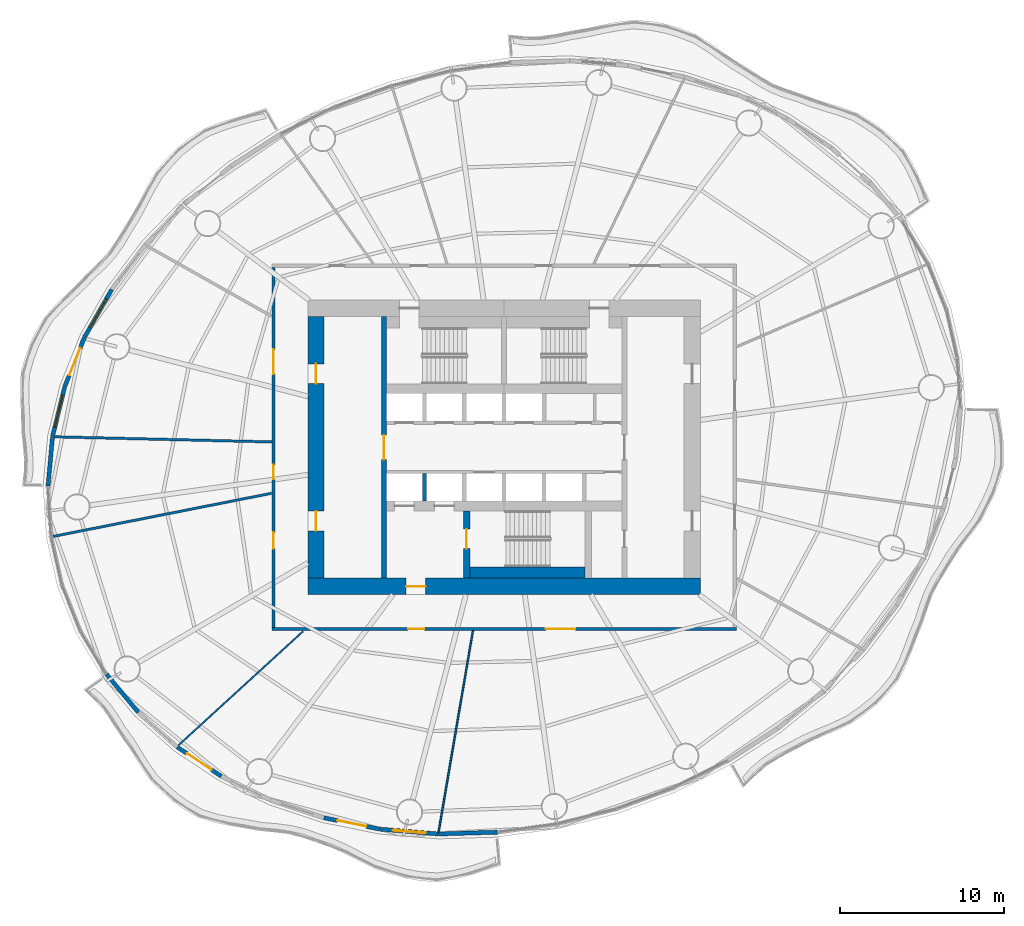
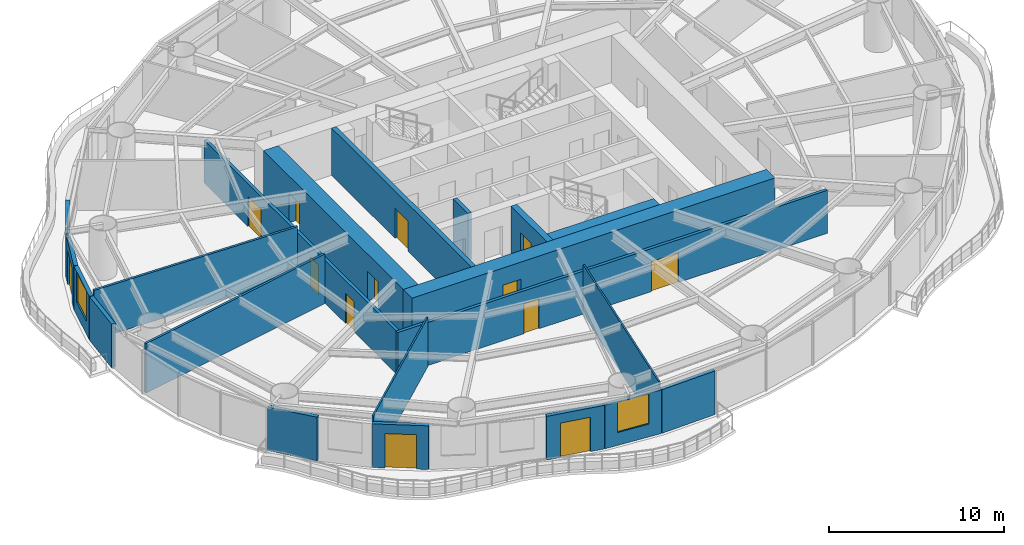
# One storey, part 8 of 16: 21 walls, 13 doors, 3 windows, 16 openings.
"""IFC4 building model written with IfcOpenShell, lengths in metres."""

from ifc_helpers import new_model, si_unit, direction, frame, frame_2d, origin, place, context, subcontext, project, spatial, rectangle, extrude, material, layer, layer_set, type_object, element, fill, save


model = new_model("IFC4")

# Units and contexts
model_context = context("Model", 3, precision=1e-05, world=origin(), true_north=direction((0.0, 1.0)))
body_context = subcontext(model_context, "Body", "Model", "MODEL_VIEW")
ifc_project = project(units=[si_unit("LENGTHUNIT", "METRE"), si_unit("AREAUNIT", "SQUARE_METRE"), si_unit("VOLUMEUNIT", "CUBIC_METRE"), si_unit("PLANEANGLEUNIT", "RADIAN"), si_unit("MASSUNIT", "GRAM", prefix="KILO")], contexts=[model_context])

# Site, building, storey
site_placement = place(None, origin())
site = spatial("IfcSite", under=ifc_project, at=site_placement, CompositionType="ELEMENT")
building_placement = place(site_placement, origin())
building = spatial("IfcBuilding", under=site, at=building_placement, Name="Vermilion Reach Broadcast Tower", CompositionType="ELEMENT")
storey_placement = place(building_placement, frame((0.0, 0.0, 103.0)))
storey = spatial("IfcBuildingStorey", under=building, at=storey_placement, Name="L23", CompositionType="ELEMENT", Elevation=103.0)

# Wall, opening, door
ifc_material_1 = material(Name="Concrete C70", Category="concrete")
ifc_layer_1 = layer(ifc_material_1, 0.300048828125)
ifc_layer_set_1 = layer_set([ifc_layer_1], Name="Core inner wall 300 mm Concrete C70")
wall_type_1 = type_object("IfcWallType", Name="Core inner wall 300 mm Concrete C70", PredefinedType="SHEAR", material=ifc_layer_set_1)
wall_1_placement = place(storey_placement, frame((-13.35009765625, 8.0, 0.0), z_axis=(0.0, 0.0, 1.0), x_axis=(0.0, -1.0, 0.0)))
wall_1 = element("IfcWall", 1, at=wall_1_placement, inside=storey, type_object=wall_type_1, Name="L23 core wall ewW", PredefinedType="SHEAR", context=body_context, shape_type="SweptSolid", body=[
    extrude(rectangle(XDim=16.0, YDim=0.300048828125, at=frame_2d((8.0, 0.0))), origin(), (0.0, 0.0, 1.0), 3.300048828125),
])
opening_1_placement = place(wall_1_placement, frame((7.25, 0.0, 0.0)))
opening_1 = element("IfcOpeningElement", 2, at=opening_1_placement, cuts=wall_1, Name="Opening D04", PredefinedType="OPENING", context=body_context, shape_type="SweptSolid", body=[
    extrude(rectangle(XDim=1.5, YDim=2.10009765625, at=frame_2d((0.75, 1.050048828125))), frame((0.0, 0.159912109375, 0.0), z_axis=(0.0, -1.0, 0.0), x_axis=(1.0, 0.0, 0.0)), (0.0, 0.0, 1.0), 0.320068359375),
])
ifc_material_2 = material(Name="Painted steel fire door", Category="steel")
door_type_1 = type_object("IfcDoorType", Name="Lift lobby door 1500 x 2100", OperationType="DOUBLE_DOOR_SINGLE_SWING", PredefinedType="NOTDEFINED", material=ifc_material_2)
door_1_placement = place(opening_1_placement, origin())
door_1 = element("IfcDoor", 3, at=door_1_placement, inside=storey, type_object=door_type_1, Name="L23 band door BW", OperationType="DOUBLE_DOOR_SINGLE_SWING", OverallHeight=2.10009765625, OverallWidth=1.5, PredefinedType="NOTDEFINED", context=body_context, shape_type="SweptSolid", body=[
    extrude(rectangle(XDim=1.5, YDim=2.10009765625, at=frame_2d((0.75, 1.050048828125))), frame((0.0, 0.02490234375, 0.0), z_axis=(0.0, -1.0, 0.0), x_axis=(1.0, 0.0, 0.0)), (0.0, 0.0, 1.0), 0.050048828125),
])
fill(opening_1, door_1)

ifc_material_3 = material(Name="Concrete C70", Category="concrete")
ifc_layer_2 = layer(ifc_material_3, 0.39990234375)
ifc_layer_set_2 = layer_set([ifc_layer_2], Name="Core inner wall 400 mm Concrete C70")
wall_type_2 = type_object("IfcWallType", Name="Core inner wall 400 mm Concrete C70", PredefinedType="SHEAR", material=ifc_layer_set_2)
wall_2_placement = place(storey_placement, frame((-8.300048828125, -3.8798828125, 0.0), z_axis=(0.0, 0.0, 1.0), x_axis=(0.0, -1.0, 0.0)))
wall_2 = element("IfcWall", 4, at=wall_2_placement, inside=storey, type_object=wall_type_2, Name="L23 core wall wa", PredefinedType="SHEAR", context=body_context, shape_type="SweptSolid", body=[
    extrude(rectangle(XDim=4.1201171875, YDim=0.39990234375, at=frame_2d((2.06005859375, 0.0))), origin(), (0.0, 0.0, 1.0), 3.300048828125),
])
opening_2_placement = place(wall_2_placement, frame((1.110107421875, 0.0, 0.0)))
opening_2 = element("IfcOpeningElement", 5, at=opening_2_placement, cuts=wall_2, Name="Opening D01", PredefinedType="OPENING", context=body_context, shape_type="SweptSolid", body=[
    extrude(rectangle(XDim=1.199951171875, YDim=2.10009765625, at=frame_2d((0.60009765625, 1.050048828125))), frame((0.0, 0.2099609375, 0.0), z_axis=(0.0, -1.0, 0.0), x_axis=(1.0, 0.0, 0.0)), (0.0, 0.0, 1.0), 0.419921875),
])
ifc_material_4 = material(Name="Painted steel fire door", Category="steel")
door_type_2 = type_object("IfcDoorType", Name="Stair door 1200 x 2100", OperationType="DOUBLE_DOOR_SINGLE_SWING", PredefinedType="NOTDEFINED", material=ifc_material_4)
door_2_placement = place(opening_2_placement, origin())
door_2 = element("IfcDoor", 6, at=door_2_placement, inside=storey, type_object=door_type_2, Name="L23 stair door ST3", OperationType="DOUBLE_DOOR_SINGLE_SWING", OverallHeight=2.10009765625, OverallWidth=1.199951171875, PredefinedType="NOTDEFINED", context=body_context, shape_type="SweptSolid", body=[
    extrude(rectangle(XDim=1.199951171875, YDim=2.10009765625, at=frame_2d((0.60009765625, 1.050048828125))), frame((0.0, 0.02490234375, 0.0), z_axis=(0.0, -1.0, 0.0), x_axis=(1.0, 0.0, 0.0)), (0.0, 0.0, 1.0), 0.050048828125),
])
fill(opening_2, door_2)

ifc_material_5 = material(Name="Concrete C70", Category="concrete")
ifc_layer_3 = layer(ifc_material_5, 1.0)
ifc_layer_set_3 = layer_set([ifc_layer_3], Name="Core outer wall 1000 mm Concrete C70")
wall_type_3 = type_object("IfcWallType", Name="Core outer wall 1000 mm Concrete C70", PredefinedType="SHEAR", material=ifc_layer_set_3)
wall_3_placement = place(storey_placement, frame((-18.0, -8.5, 0.0), z_axis=(0.0, 0.0, 1.0), x_axis=(1.0, 0.0, 0.0)))
wall_3 = element("IfcWall", 7, at=wall_3_placement, inside=storey, type_object=wall_type_3, Name="L23 core wall os", PredefinedType="SHEAR", context=body_context, shape_type="SweptSolid", body=[
    extrude(rectangle(XDim=24.0, YDim=1.0, at=frame_2d((12.0, 0.0))), origin(), (0.0, 0.0, 1.0), 3.300048828125),
])
opening_3_placement = place(wall_3_placement, frame((6.0, 0.0, 0.0)))
opening_3 = element("IfcOpeningElement", 8, at=opening_3_placement, cuts=wall_3, Name="Opening D02", PredefinedType="OPENING", context=body_context, shape_type="SweptSolid", body=[
    extrude(rectangle(XDim=1.199951171875, YDim=2.10009765625, at=frame_2d((0.60009765625, 1.050048828125))), frame((0.0, 0.510009765625, 0.0), z_axis=(0.0, -1.0, 0.0), x_axis=(1.0, 0.0, 0.0)), (0.0, 0.0, 1.0), 1.02001953125),
])
ifc_material_6 = material(Name="Painted steel fire door", Category="steel")
door_type_3 = type_object("IfcDoorType", Name="Firefighting lobby door 1200 x 2100", OperationType="DOUBLE_DOOR_SINGLE_SWING", PredefinedType="NOTDEFINED", material=ifc_material_6)
door_3_placement = place(opening_3_placement, origin())
door_3 = element("IfcDoor", 9, at=door_3_placement, inside=storey, type_object=door_type_3, Name="L23 ffdoor door FFL", OperationType="DOUBLE_DOOR_SINGLE_SWING", OverallHeight=2.10009765625, OverallWidth=1.199951171875, PredefinedType="NOTDEFINED", context=body_context, shape_type="SweptSolid", body=[
    extrude(rectangle(XDim=1.199951171875, YDim=2.10009765625, at=frame_2d((0.60009765625, 1.050048828125))), frame((0.0, 0.02490234375, 0.0), z_axis=(0.0, -1.0, 0.0), x_axis=(1.0, 0.0, 0.0)), (0.0, 0.0, 1.0), 0.050048828125),
])
fill(opening_3, door_3)

# Wall, openings, doors
wall_4_placement = place(storey_placement, frame((-17.5, 8.0, 0.0), z_axis=(0.0, 0.0, 1.0), x_axis=(0.0, -1.0, 0.0)))
wall_4 = element("IfcWall", 10, at=wall_4_placement, inside=storey, type_object=wall_type_3, Name="L23 core wall ow", PredefinedType="SHEAR", context=body_context, shape_type="SweptSolid", body=[
    extrude(rectangle(XDim=16.0, YDim=1.0, at=frame_2d((8.0, 0.0))), origin(), (0.0, 0.0, 1.0), 3.300048828125),
])
opening_4_placement = place(wall_4_placement, frame((11.89990234375, 0.0, 0.0)))
opening_4 = element("IfcOpeningElement", 11, at=opening_4_placement, cuts=wall_4, Name="Opening D03", PredefinedType="OPENING", context=body_context, shape_type="SweptSolid", body=[
    extrude(rectangle(XDim=1.199951171875, YDim=2.10009765625, at=frame_2d((0.60009765625, 1.050048828125))), frame((0.0, 0.510009765625, 0.0), z_axis=(0.0, -1.0, 0.0), x_axis=(1.0, 0.0, 0.0)), (0.0, 0.0, 1.0), 1.02001953125),
])
opening_5_placement = place(wall_4_placement, frame((2.89990234375, 0.0, 0.0)))
opening_5 = element("IfcOpeningElement", 12, at=opening_5_placement, cuts=wall_4, Name="Opening D03", PredefinedType="OPENING", context=body_context, shape_type="SweptSolid", body=[
    extrude(rectangle(XDim=1.199951171875, YDim=2.10009765625, at=frame_2d((0.60009765625, 1.050048828125))), frame((0.0, 0.510009765625, 0.0), z_axis=(0.0, -1.0, 0.0), x_axis=(1.0, 0.0, 0.0)), (0.0, 0.0, 1.0), 1.02001953125),
])
ifc_material_7 = material(Name="Painted steel fire door", Category="steel")
door_type_4 = type_object("IfcDoorType", Name="Core lobby door 1200 x 2100", OperationType="DOUBLE_DOOR_SINGLE_SWING", PredefinedType="NOTDEFINED", material=ifc_material_7)
door_4_placement = place(opening_4_placement, origin())
door_4 = element("IfcDoor", 13, at=door_4_placement, inside=storey, type_object=door_type_4, Name="L23 slot door W0", OperationType="DOUBLE_DOOR_SINGLE_SWING", OverallHeight=2.10009765625, OverallWidth=1.199951171875, PredefinedType="NOTDEFINED", context=body_context, shape_type="SweptSolid", body=[
    extrude(rectangle(XDim=1.199951171875, YDim=2.10009765625, at=frame_2d((0.60009765625, 1.050048828125))), frame((0.0, 0.02490234375, 0.0), z_axis=(0.0, -1.0, 0.0), x_axis=(1.0, 0.0, 0.0)), (0.0, 0.0, 1.0), 0.050048828125),
])
fill(opening_4, door_4)
door_5_placement = place(opening_5_placement, origin())
door_5 = element("IfcDoor", 14, at=door_5_placement, inside=storey, type_object=door_type_4, Name="L23 slot door W1", OperationType="DOUBLE_DOOR_SINGLE_SWING", OverallHeight=2.10009765625, OverallWidth=1.199951171875, PredefinedType="NOTDEFINED", context=body_context, shape_type="SweptSolid", body=[
    extrude(rectangle(XDim=1.199951171875, YDim=2.10009765625, at=frame_2d((0.60009765625, 1.050048828125))), frame((0.0, 0.02490234375, 0.0), z_axis=(0.0, -1.0, 0.0), x_axis=(1.0, 0.0, 0.0)), (0.0, 0.0, 1.0), 0.050048828125),
])
fill(opening_5, door_5)

# Walls
ifc_material_8 = material(Name="Concrete C50", Category="concrete")
ifc_layer_4 = layer(ifc_material_8, 0.25)
ifc_layer_set_4 = layer_set([ifc_layer_4], Name="Core shaft wall 250 mm Concrete C50")
wall_type_4 = type_object("IfcWallType", Name="Core shaft wall 250 mm Concrete C50", PredefinedType="SHEAR", material=ifc_layer_set_4)
wall_5_placement = place(storey_placement, frame((-10.88330078125, -1.60009765625, 0.0), z_axis=(0.0, 0.0, 1.0), x_axis=(0.0, -1.0, 0.0)))
element("IfcWall", 15, at=wall_5_placement, inside=storey, type_object=wall_type_4, Name="L23 core wall psS0", PredefinedType="SHEAR", context=body_context, shape_type="SweptSolid", body=[
    extrude(rectangle(XDim=1.679931640625, YDim=0.25, at=frame_2d((0.83984375, 0.0))), origin(), (0.0, 0.0, 1.0), 3.300048828125),
])
ifc_material_9 = material(Name="Concrete C70", Category="concrete")
ifc_layer_5 = layer(ifc_material_9, 0.699951171875)
ifc_layer_set_5 = layer_set([ifc_layer_5], Name="Core stair wall 700 mm Concrete C70")
wall_type_5 = type_object("IfcWallType", Name="Core stair wall 700 mm Concrete C70", PredefinedType="SHEAR", material=ifc_layer_set_5)
wall_6_placement = place(storey_placement, frame((-8.10009765625, -7.64990234375, 0.0), z_axis=(0.0, 0.0, 1.0), x_axis=(1.0, 0.0, 0.0)))
element("IfcWall", 16, at=wall_6_placement, inside=storey, type_object=wall_type_5, Name="L23 core wall l3", PredefinedType="SHEAR", context=body_context, shape_type="SweptSolid", body=[
    extrude(rectangle(XDim=7.050048828125, YDim=0.699951171875, at=frame_2d((3.52490234375, 0.0))), origin(), (0.0, 0.0, 1.0), 3.300048828125),
])
ifc_material_10 = material(Name="Plasterboard on steel stud", Category="steel")
ifc_layer_6 = layer(ifc_material_10, 0.10009765625)
ifc_layer_set_6 = layer_set([ifc_layer_6], Name="Partition 100 steel stud")
wall_type_6 = type_object("IfcWallType", Name="Partition 100 steel stud", PredefinedType="PARTITIONING", material=ifc_layer_set_6)
wall_7_placement = place(storey_placement, frame((-25.91650390625, -18.21484375, 0.0), z_axis=(0.0, 0.0, 1.0), x_axis=(0.737925997796, 0.674881635383, 0.0)))
element("IfcWall", 17, at=wall_7_placement, inside=storey, type_object=wall_type_6, Name="Partition 23.08", PredefinedType="PARTITIONING", context=body_context, shape_type="SweptSolid", body=[
    extrude(rectangle(XDim=10.339599609375, YDim=0.10009765625, at=frame_2d((5.169921875, 0.0))), origin(), (0.0, 0.0, 1.0), 3.449951171875),
])
wall_8_placement = place(storey_placement, frame((-10.009521484375, -23.508056640625, 0.0), z_axis=(0.0, 0.0, 1.0), x_axis=(0.168138794108, 0.985763331594, 0.0)))
element("IfcWall", 18, at=wall_8_placement, inside=storey, type_object=wall_type_6, Name="Partition 23.09", PredefinedType="PARTITIONING", context=body_context, shape_type="SweptSolid", body=[
    extrude(rectangle(XDim=12.477294921875, YDim=0.10009765625, at=frame_2d((6.23876953125, 0.0))), origin(), (0.0, 0.0, 1.0), 3.449951171875),
])
ifc_material_11 = material(Name="Lightweight concrete block, plastered", Category="concrete")
ifc_layer_7 = layer(ifc_material_11, 0.14990234375)
ifc_layer_set_7 = layer_set([ifc_layer_7], Name="Partition 150 lightweight block")
wall_type_7 = type_object("IfcWallType", Name="Partition 150 lightweight block", PredefinedType="PARTITIONING", material=ifc_layer_set_7)
wall_9_placement = place(storey_placement, frame((-33.4833984375, 0.644775390625, 0.0), z_axis=(0.0, 0.0, 1.0), x_axis=(0.99972504446, -0.023448570948, 0.0)))
element("IfcWall", 19, at=wall_9_placement, inside=storey, type_object=wall_type_7, Name="Partition 23.06", PredefinedType="PARTITIONING", context=body_context, shape_type="SweptSolid", body=[
    extrude(rectangle(XDim=13.285400390625, YDim=0.14990234375, at=frame_2d((6.642578125, 0.0))), origin(), (0.0, 0.0, 1.0), 3.449951171875),
])
wall_10_placement = place(storey_placement, frame((-33.571533203125, -5.443115234375, 0.0), z_axis=(0.0, 0.0, 1.0), x_axis=(0.981063896999, 0.193684356635, 0.0)))
element("IfcWall", 20, at=wall_10_placement, inside=storey, type_object=wall_type_7, Name="Partition 23.07", PredefinedType="PARTITIONING", context=body_context, shape_type="SweptSolid", body=[
    extrude(rectangle(XDim=13.61474609375, YDim=0.14990234375, at=frame_2d((6.807373046875, 0.0))), origin(), (0.0, 0.0, 1.0), 3.449951171875),
])

# Wall, opening, window
ifc_material_12 = material(Name="Terracotta rainscreen cladding", Category="masonry")
ifc_layer_8 = layer(ifc_material_12, 0.25)
ifc_layer_set_8 = layer_set([ifc_layer_8], Name="Terracotta rainscreen wall 250")
wall_type_8 = type_object("IfcWallType", Name="Terracotta rainscreen wall 250", PredefinedType="SOLIDWALL", material=ifc_layer_set_8)
wall_11_placement = place(storey_placement, frame((-29.99560546875, 9.64404296875, 0.0), z_axis=(0.0, 0.0, 1.0), x_axis=(-0.494876492028, -0.868963323529, 0.0)))
wall_11 = element("IfcWall", 21, at=wall_11_placement, inside=storey, type_object=wall_type_8, Name="External wall L23 18", PredefinedType="SOLIDWALL", context=body_context, shape_type="SweptSolid", body=[
    extrude(rectangle(XDim=3.312744140625, YDim=0.25, at=frame_2d((1.65625, 0.0))), origin(), (0.0, 0.0, 1.0), 3.050048828125),
])
opening_6_placement = place(wall_11_placement, frame((0.656494140625, 0.0, 0.89990234375)))
opening_6 = element("IfcOpeningElement", 22, at=opening_6_placement, cuts=wall_11, Name="Opening W03", PredefinedType="OPENING", context=body_context, shape_type="SweptSolid", body=[
    extrude(rectangle(XDim=2.0, YDim=2.10009765625, at=frame_2d((1.0, 1.050048828125))), frame((0.0, 0.135009765625, 0.0), z_axis=(0.0, -1.0, 0.0), x_axis=(1.0, 0.0, 0.0)), (0.0, 0.0, 1.0), 0.27001953125),
])
ifc_material_13 = material(Name="Low-e laminated clear glass in aluminium frame", Category="aluminium")
window_type = type_object("IfcWindowType", Name="Punched window 2000 x 2100 sill 900", PartitioningType="SINGLE_PANEL", PredefinedType="WINDOW", material=ifc_material_13)
window_1_placement = place(opening_6_placement, origin())
window_1 = element("IfcWindow", 23, at=window_1_placement, inside=storey, type_object=window_type, Name="Window L23 18", OverallHeight=2.10009765625, OverallWidth=2.0, PartitioningType="SINGLE_PANEL", PredefinedType="WINDOW", context=body_context, shape_type="SweptSolid", body=[
    extrude(rectangle(XDim=2.0, YDim=2.10009765625, at=frame_2d((1.0, 1.050048828125))), frame((0.0, 0.030029296875, 0.0), z_axis=(0.0, -1.0, 0.0), x_axis=(1.0, 0.0, 0.0)), (0.0, 0.0, 1.0), 0.06005859375),
])
fill(opening_6, window_1)

# Wall, opening, door
wall_12_placement = place(storey_placement, frame((-31.64599609375, 6.742919921875, 0.0), z_axis=(0.0, 0.0, 1.0), x_axis=(-0.373166307387, -0.927764467433, 0.0)))
wall_12 = element("IfcWall", 24, at=wall_12_placement, inside=storey, type_object=wall_type_8, Name="External wall L23 19", PredefinedType="SOLIDWALL", context=body_context, shape_type="SweptSolid", body=[
    extrude(rectangle(XDim=3.222900390625, YDim=0.25, at=frame_2d((1.611328125, 0.0))), origin(), (0.0, 0.0, 1.0), 3.050048828125),
])
opening_7_placement = place(wall_12_placement, frame((0.7109375, 0.0, 0.0)))
opening_7 = element("IfcOpeningElement", 25, at=opening_7_placement, cuts=wall_12, Name="Opening D70", PredefinedType="OPENING", context=body_context, shape_type="SweptSolid", body=[
    extrude(rectangle(XDim=1.800048828125, YDim=2.39990234375, at=frame_2d((0.89990234375, 1.199951171875))), frame((0.0, 0.135009765625, 0.0), z_axis=(0.0, -1.0, 0.0), x_axis=(1.0, 0.0, 0.0)), (0.0, 0.0, 1.0), 0.27001953125),
])
ifc_material_14 = material(Name="Low-e laminated clear glass in aluminium frame", Category="aluminium")
door_type_5 = type_object("IfcDoorType", Name="Balcony sliding door 1800 x 2400", OperationType="DOUBLE_DOOR_SLIDING", PredefinedType="DOOR", material=ifc_material_14)
door_6_placement = place(opening_7_placement, origin())
door_6 = element("IfcDoor", 26, at=door_6_placement, inside=storey, type_object=door_type_5, Name="Balcony door L23 run 05", OperationType="DOUBLE_DOOR_SLIDING", OverallHeight=2.39990234375, OverallWidth=1.800048828125, PredefinedType="DOOR", context=body_context, shape_type="SweptSolid", body=[
    extrude(rectangle(XDim=1.800048828125, YDim=2.39990234375, at=frame_2d((0.89990234375, 1.199951171875))), frame((0.0, 0.02490234375, 0.0), z_axis=(0.0, -1.0, 0.0), x_axis=(1.0, 0.0, 0.0)), (0.0, 0.0, 1.0), 0.050048828125),
])
fill(opening_7, door_6)

# Wall, opening, window
wall_13_placement = place(storey_placement, frame((-32.856689453125, 3.728271484375, 0.0), z_axis=(0.0, 0.0, 1.0), x_axis=(-0.237849267936, -0.971302077493, 0.0)))
wall_13 = element("IfcWall", 27, at=wall_13_placement, inside=storey, type_object=wall_type_8, Name="External wall L23 20", PredefinedType="SOLIDWALL", context=body_context, shape_type="SweptSolid", body=[
    extrude(rectangle(XDim=3.139892578125, YDim=0.25, at=frame_2d((1.56982421875, 0.0))), origin(), (0.0, 0.0, 1.0), 3.050048828125),
])
opening_8_placement = place(wall_13_placement, frame((0.570068359375, 0.0, 0.89990234375)))
opening_8 = element("IfcOpeningElement", 28, at=opening_8_placement, cuts=wall_13, Name="Opening W03", PredefinedType="OPENING", context=body_context, shape_type="SweptSolid", body=[
    extrude(rectangle(XDim=2.0, YDim=2.10009765625, at=frame_2d((1.0, 1.050048828125))), frame((0.0, 0.135009765625, 0.0), z_axis=(0.0, -1.0, 0.0), x_axis=(1.0, 0.0, 0.0)), (0.0, 0.0, 1.0), 0.27001953125),
])
window_2_placement = place(opening_8_placement, origin())
window_2 = element("IfcWindow", 29, at=window_2_placement, inside=storey, type_object=window_type, Name="Window L23 20", OverallHeight=2.10009765625, OverallWidth=2.0, PartitioningType="SINGLE_PANEL", PredefinedType="WINDOW", context=body_context, shape_type="SweptSolid", body=[
    extrude(rectangle(XDim=2.0, YDim=2.10009765625, at=frame_2d((1.0, 1.050048828125))), frame((0.0, 0.030029296875, 0.0), z_axis=(0.0, -1.0, 0.0), x_axis=(1.0, 0.0, 0.0)), (0.0, 0.0, 1.0), 0.06005859375),
])
fill(opening_8, window_2)

# Walls
for number, where, z_axis, x_axis, name in (
    (30, (-33.60791015625, 0.65234375, 0.0), (0.0, 0.0, 1.0), (-0.09099355154, -0.995851481687, 0.0), "External wall L23 21"),
    (31, (-30.30419921875, -13.870361328125, 0.0), (0.0, 0.0, 1.0), (0.639859311978, -0.768492069494, 0.0), "External wall L23 26"),
):
    element("IfcWall", number, at=place(storey_placement, frame(where, z_axis=z_axis, x_axis=x_axis)), inside=storey, type_object=wall_type_8, Name=name, PredefinedType="SOLIDWALL", context=body_context, shape_type="SweptSolid", body=[
        extrude(rectangle(XDim=3.029052734375, YDim=0.25, at=frame_2d((1.5146484375, 0.0))), origin(), (0.0, 0.0, 1.0), 3.050048828125),
    ])

# Wall, opening, door
wall_14_placement = place(storey_placement, frame((-25.98193359375, -18.321044921875, 0.0), z_axis=(0.0, 0.0, 1.0), x_axis=(0.833643452757, -0.552302990827, 0.0)))
wall_14 = element("IfcWall", 32, at=wall_14_placement, inside=storey, type_object=wall_type_8, Name="External wall L23 28", PredefinedType="SOLIDWALL", context=body_context, shape_type="SweptSolid", body=[
    extrude(rectangle(XDim=3.222900390625, YDim=0.25, at=frame_2d((1.611328125, 0.0))), origin(), (0.0, 0.0, 1.0), 3.050048828125),
])
opening_9_placement = place(wall_14_placement, frame((0.7109375, 0.0, 0.0)))
opening_9 = element("IfcOpeningElement", 33, at=opening_9_placement, cuts=wall_14, Name="Opening D70", PredefinedType="OPENING", context=body_context, shape_type="SweptSolid", body=[
    extrude(rectangle(XDim=1.800048828125, YDim=2.39990234375, at=frame_2d((0.89990234375, 1.199951171875))), frame((0.0, 0.135009765625, 0.0), z_axis=(0.0, -1.0, 0.0), x_axis=(1.0, 0.0, 0.0)), (0.0, 0.0, 1.0), 0.27001953125),
])
door_7_placement = place(opening_9_placement, origin())
door_7 = element("IfcDoor", 34, at=door_7_placement, inside=storey, type_object=door_type_5, Name="Balcony door L23 run 07", OperationType="DOUBLE_DOOR_SLIDING", OverallHeight=2.39990234375, OverallWidth=1.800048828125, PredefinedType="DOOR", context=body_context, shape_type="SweptSolid", body=[
    extrude(rectangle(XDim=1.800048828125, YDim=2.39990234375, at=frame_2d((0.89990234375, 1.199951171875))), frame((0.0, 0.02490234375, 0.0), z_axis=(0.0, -1.0, 0.0), x_axis=(1.0, 0.0, 0.0)), (0.0, 0.0, 1.0), 0.050048828125),
])
fill(opening_9, door_7)

wall_15_placement = place(storey_placement, frame((-17.0166015625, -22.64453125, 0.0), z_axis=(0.0, 0.0, 1.0), x_axis=(0.980191158743, -0.198053761191, 0.0)))
wall_15 = element("IfcWall", 35, at=wall_15_placement, inside=storey, type_object=wall_type_8, Name="External wall L23 31", PredefinedType="SOLIDWALL", context=body_context, shape_type="SweptSolid", body=[
    extrude(rectangle(XDim=3.488525390625, YDim=0.25, at=frame_2d((1.744140625, 0.0))), origin(), (0.0, 0.0, 1.0), 3.050048828125),
])
opening_10_placement = place(wall_15_placement, frame((0.843994140625, 0.0, 0.0)))
opening_10 = element("IfcOpeningElement", 36, at=opening_10_placement, cuts=wall_15, Name="Opening D70", PredefinedType="OPENING", context=body_context, shape_type="SweptSolid", body=[
    extrude(rectangle(XDim=1.800048828125, YDim=2.39990234375, at=frame_2d((0.89990234375, 1.199951171875))), frame((0.0, 0.135009765625, 0.0), z_axis=(0.0, -1.0, 0.0), x_axis=(1.0, 0.0, 0.0)), (0.0, 0.0, 1.0), 0.27001953125),
])
door_8_placement = place(opening_10_placement, origin())
door_8 = element("IfcDoor", 37, at=door_8_placement, inside=storey, type_object=door_type_5, Name="Balcony door L23 run 08", OperationType="DOUBLE_DOOR_SLIDING", OverallHeight=2.39990234375, OverallWidth=1.800048828125, PredefinedType="DOOR", context=body_context, shape_type="SweptSolid", body=[
    extrude(rectangle(XDim=1.800048828125, YDim=2.39990234375, at=frame_2d((0.89990234375, 1.199951171875))), frame((0.0, 0.02490234375, 0.0), z_axis=(0.0, -1.0, 0.0), x_axis=(1.0, 0.0, 0.0)), (0.0, 0.0, 1.0), 0.050048828125),
])
fill(opening_10, door_8)

# Wall, opening, window
wall_16_placement = place(storey_placement, frame((-13.57470703125, -23.338623046875, 0.0), z_axis=(0.0, 0.0, 1.0), x_axis=(0.996602699612, -0.082359329318, 0.0)))
wall_16 = element("IfcWall", 38, at=wall_16_placement, inside=storey, type_object=wall_type_8, Name="External wall L23 32", PredefinedType="SOLIDWALL", context=body_context, shape_type="SweptSolid", body=[
    extrude(rectangle(XDim=3.563232421875, YDim=0.25, at=frame_2d((1.78173828125, 0.0))), origin(), (0.0, 0.0, 1.0), 3.050048828125),
])
opening_11_placement = place(wall_16_placement, frame((0.781494140625, 0.0, 0.89990234375)))
opening_11 = element("IfcOpeningElement", 39, at=opening_11_placement, cuts=wall_16, Name="Opening W03", PredefinedType="OPENING", context=body_context, shape_type="SweptSolid", body=[
    extrude(rectangle(XDim=2.0, YDim=2.10009765625, at=frame_2d((1.0, 1.050048828125))), frame((0.0, 0.135009765625, 0.0), z_axis=(0.0, -1.0, 0.0), x_axis=(1.0, 0.0, 0.0)), (0.0, 0.0, 1.0), 0.27001953125),
])
window_3_placement = place(opening_11_placement, origin())
window_3 = element("IfcWindow", 40, at=window_3_placement, inside=storey, type_object=window_type, Name="Window L23 32", OverallHeight=2.10009765625, OverallWidth=2.0, PartitioningType="SINGLE_PANEL", PredefinedType="WINDOW", context=body_context, shape_type="SweptSolid", body=[
    extrude(rectangle(XDim=2.0, YDim=2.10009765625, at=frame_2d((1.0, 1.050048828125))), frame((0.0, 0.030029296875, 0.0), z_axis=(0.0, -1.0, 0.0), x_axis=(1.0, 0.0, 0.0)), (0.0, 0.0, 1.0), 0.06005859375),
])
fill(opening_11, window_3)

# Wall
wall_17_placement = place(storey_placement, frame((-10.001708984375, -23.632568359375, 0.0), z_axis=(0.0, 0.0, 1.0), x_axis=(0.999541179145, 0.030289126641, 0.0)))
element("IfcWall", 41, at=wall_17_placement, inside=storey, type_object=wall_type_8, Name="External wall L23 33", PredefinedType="SOLIDWALL", context=body_context, shape_type="SweptSolid", body=[
    extrude(rectangle(XDim=3.578857421875, YDim=0.25, at=frame_2d((1.78955078125, 0.0))), origin(), (0.0, 0.0, 1.0), 3.050048828125),
])

# Wall, openings, doors
ifc_material_15 = material(Name="Fire-rated gypsum board partition")
ifc_layer_9 = layer(ifc_material_15, 0.199951171875)
ifc_layer_set_9 = layer_set([ifc_layer_9], Name="Under girder: Corridor wall 200 fire-rated")
wall_type_9 = type_object("IfcWallType", Name="Under girder: Corridor wall 200 fire-rated", PredefinedType="PARTITIONING", material=ifc_layer_set_9)
wall_18_placement = place(storey_placement, frame((8.199951171875, -11.10009765625, 0.0), z_axis=(0.0, 0.0, 1.0), x_axis=(-1.0, 0.0, 0.0)))
wall_18 = element("IfcWall", 42, at=wall_18_placement, inside=storey, type_object=wall_type_9, Name="Corridor wall 23.S", PredefinedType="PARTITIONING", context=body_context, shape_type="SweptSolid", body=[
    extrude(rectangle(XDim=28.39990234375, YDim=0.199951171875, at=frame_2d((14.199951171875, 0.0))), origin(), (0.0, 0.0, 1.0), 3.0),
])
opening_12_placement = place(wall_18_placement, frame((19.071044921875, 0.0, 0.0)))
opening_12 = element("IfcOpeningElement", 43, at=opening_12_placement, cuts=wall_18, Name="Opening D20", PredefinedType="OPENING", context=body_context, shape_type="SweptSolid", body=[
    extrude(rectangle(XDim=1.0, YDim=2.10009765625, at=frame_2d((0.5, 1.050048828125))), frame((0.0, 0.10986328125, 0.0), z_axis=(0.0, -1.0, 0.0), x_axis=(1.0, 0.0, 0.0)), (0.0, 0.0, 1.0), 0.219970703125),
])
opening_13_placement = place(wall_18_placement, frame((9.84716796875, 0.0, 0.0)))
opening_13 = element("IfcOpeningElement", 44, at=opening_13_placement, cuts=wall_18, Name="Opening D21", PredefinedType="OPENING", context=body_context, shape_type="SweptSolid", body=[
    extrude(rectangle(XDim=1.800048828125, YDim=2.10009765625, at=frame_2d((0.89990234375, 1.050048828125))), frame((0.0, 0.10986328125, 0.0), z_axis=(0.0, -1.0, 0.0), x_axis=(1.0, 0.0, 0.0)), (0.0, 0.0, 1.0), 0.219970703125),
])
ifc_material_16 = material(Name="Timber door leaf", Category="wood")
door_type_6 = type_object("IfcDoorType", Name="Door pair 1800x2100", OperationType="NOTDEFINED", PredefinedType="DOOR", material=ifc_material_16)
door_9_placement = place(opening_13_placement, origin())
door_9 = element("IfcDoor", 45, at=door_9_placement, inside=storey, type_object=door_type_6, Name="Door 23.09", OperationType="DOUBLE_DOOR_SINGLE_SWING", OverallHeight=2.10009765625, OverallWidth=1.800048828125, PredefinedType="DOOR", context=body_context, shape_type="SweptSolid", body=[
    extrude(rectangle(XDim=1.800048828125, YDim=2.10009765625, at=frame_2d((0.89990234375, 1.050048828125))), frame((0.0, 0.02490234375, 0.0), z_axis=(0.0, -1.0, 0.0), x_axis=(1.0, 0.0, 0.0)), (0.0, 0.0, 1.0), 0.050048828125),
])
fill(opening_13, door_9)
ifc_material_17 = material(Name="Timber door leaf", Category="wood")
door_type_7 = type_object("IfcDoorType", Name="Door single 1000x2100", OperationType="NOTDEFINED", PredefinedType="DOOR", material=ifc_material_17)
door_10_placement = place(opening_12_placement, origin())
door_10 = element("IfcDoor", 46, at=door_10_placement, inside=storey, type_object=door_type_7, Name="Door 23.08", OperationType="SINGLE_SWING_LEFT", OverallHeight=2.10009765625, OverallWidth=1.0, PredefinedType="DOOR", context=body_context, shape_type="SweptSolid", body=[
    extrude(rectangle(XDim=1.0, YDim=2.10009765625, at=frame_2d((0.5, 1.050048828125))), frame((0.0, 0.02490234375, 0.0), z_axis=(0.0, -1.0, 0.0), x_axis=(1.0, 0.0, 0.0)), (0.0, 0.0, 1.0), 0.050048828125),
])
fill(opening_12, door_10)

wall_19_placement = place(storey_placement, frame((-20.10009765625, -11.0, 0.0), z_axis=(0.0, 0.0, 1.0), x_axis=(0.0, 1.0, 0.0)))
wall_19 = element("IfcWall", 47, at=wall_19_placement, inside=storey, type_object=wall_type_9, Name="Corridor wall 23.W", PredefinedType="PARTITIONING", context=body_context, shape_type="SweptSolid", body=[
    extrude(rectangle(XDim=22.0, YDim=0.199951171875, at=frame_2d((11.0, 0.0))), origin(), (0.0, 0.0, 1.0), 3.0),
])
opening_14_placement = place(wall_19_placement, frame((15.484619140625, 0.0, 0.0)))
opening_14 = element("IfcOpeningElement", 48, at=opening_14_placement, cuts=wall_19, Name="Opening D24", PredefinedType="OPENING", context=body_context, shape_type="SweptSolid", body=[
    extrude(rectangle(XDim=1.5, YDim=2.10009765625, at=frame_2d((0.75, 1.050048828125))), frame((0.0, 0.10986328125, 0.0), z_axis=(0.0, -1.0, 0.0), x_axis=(1.0, 0.0, 0.0)), (0.0, 0.0, 1.0), 0.219970703125),
])
opening_15_placement = place(wall_19_placement, frame((9.03759765625, 0.0, 0.0)))
opening_15 = element("IfcOpeningElement", 49, at=opening_15_placement, cuts=wall_19, Name="Opening D22", PredefinedType="OPENING", context=body_context, shape_type="SweptSolid", body=[
    extrude(rectangle(XDim=0.89990234375, YDim=2.10009765625, at=frame_2d((0.449951171875, 1.050048828125))), frame((0.0, 0.10986328125, 0.0), z_axis=(0.0, -1.0, 0.0), x_axis=(1.0, 0.0, 0.0)), (0.0, 0.0, 1.0), 0.219970703125),
])
opening_16_placement = place(wall_19_placement, frame((4.8076171875, 0.0, 0.0)))
opening_16 = element("IfcOpeningElement", 50, at=opening_16_placement, cuts=wall_19, Name="Opening D20", PredefinedType="OPENING", context=body_context, shape_type="SweptSolid", body=[
    extrude(rectangle(XDim=1.0, YDim=2.10009765625, at=frame_2d((0.5, 1.050048828125))), frame((0.0, 0.10986328125, 0.0), z_axis=(0.0, -1.0, 0.0), x_axis=(1.0, 0.0, 0.0)), (0.0, 0.0, 1.0), 0.219970703125),
])
ifc_material_18 = material(Name="Timber door leaf", Category="wood")
door_type_8 = type_object("IfcDoorType", Name="Door pair 1500x2100", OperationType="NOTDEFINED", PredefinedType="DOOR", material=ifc_material_18)
door_11_placement = place(opening_14_placement, origin())
door_11 = element("IfcDoor", 51, at=door_11_placement, inside=storey, type_object=door_type_8, Name="Door 23.05", OperationType="DOUBLE_DOOR_SINGLE_SWING", OverallHeight=2.10009765625, OverallWidth=1.5, PredefinedType="DOOR", context=body_context, shape_type="SweptSolid", body=[
    extrude(rectangle(XDim=1.5, YDim=2.10009765625, at=frame_2d((0.75, 1.050048828125))), frame((0.0, 0.02490234375, 0.0), z_axis=(0.0, -1.0, 0.0), x_axis=(1.0, 0.0, 0.0)), (0.0, 0.0, 1.0), 0.050048828125),
])
fill(opening_14, door_11)
door_12_placement = place(opening_16_placement, origin())
door_12 = element("IfcDoor", 52, at=door_12_placement, inside=storey, type_object=door_type_7, Name="Door 23.07", OperationType="SINGLE_SWING_RIGHT", OverallHeight=2.10009765625, OverallWidth=1.0, PredefinedType="DOOR", context=body_context, shape_type="SweptSolid", body=[
    extrude(rectangle(XDim=1.0, YDim=2.10009765625, at=frame_2d((0.5, 1.050048828125))), frame((0.0, 0.02490234375, 0.0), z_axis=(0.0, -1.0, 0.0), x_axis=(1.0, 0.0, 0.0)), (0.0, 0.0, 1.0), 0.050048828125),
])
fill(opening_16, door_12)
ifc_material_19 = material(Name="Timber door leaf", Category="wood")
door_type_9 = type_object("IfcDoorType", Name="Door single 900x2100", OperationType="NOTDEFINED", PredefinedType="DOOR", material=ifc_material_19)
door_13_placement = place(opening_15_placement, origin())
door_13 = element("IfcDoor", 53, at=door_13_placement, inside=storey, type_object=door_type_9, Name="Door 23.06", OperationType="SINGLE_SWING_LEFT", OverallHeight=2.10009765625, OverallWidth=0.89990234375, PredefinedType="DOOR", context=body_context, shape_type="SweptSolid", body=[
    extrude(rectangle(XDim=0.89990234375, YDim=2.10009765625, at=frame_2d((0.449951171875, 1.050048828125))), frame((0.0, 0.02490234375, 0.0), z_axis=(0.0, -1.0, 0.0), x_axis=(1.0, 0.0, 0.0)), (0.0, 0.0, 1.0), 0.050048828125),
])
fill(opening_15, door_13)

save(model, "model.ifc")
